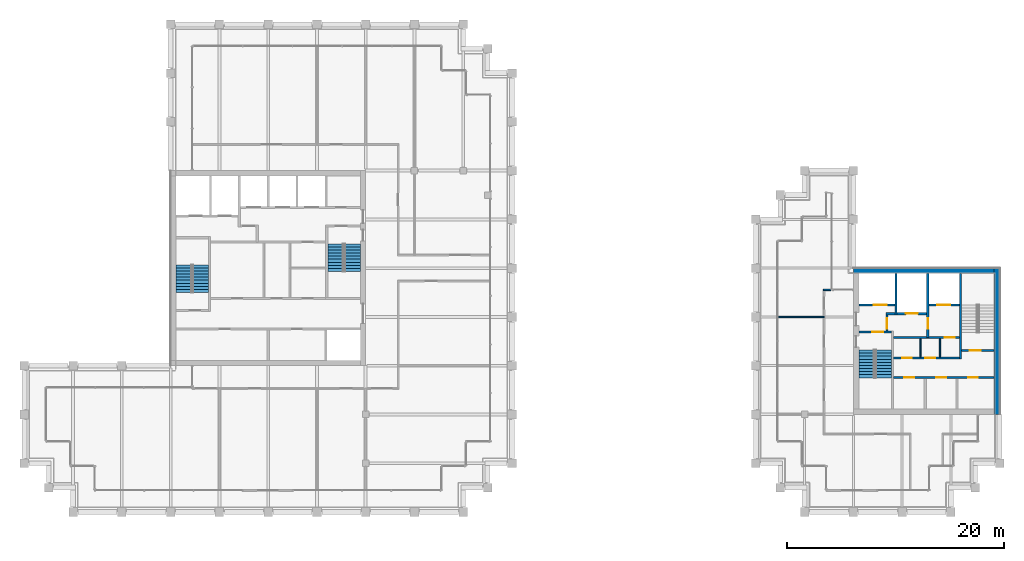
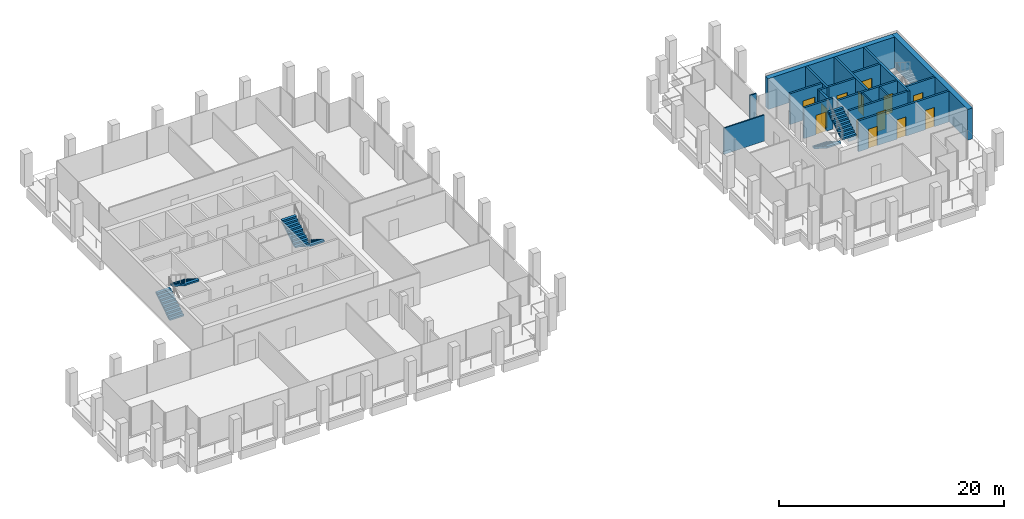
# One storey, part 38 of 40: 19 walls, 13 doors, 6 stair flights, 13 openings, 3 elements without a shape of their own.
"""IFC4 building model written with IfcOpenShell, lengths in metres."""

from ifc_helpers import new_model, si_unit, direction, frame, frame_2d, origin, place, context, subcontext, project, spatial, polyline, rectangle, outline, extrude, material, layer, layer_set, type_object, element, fill, aggregate, save


model = new_model("IFC4")

# Units and contexts
model_context = context("Model", 3, precision=1e-05, world=origin(), true_north=direction((0.0, 1.0)))
body_context = subcontext(model_context, "Body", "Model", "MODEL_VIEW")
ifc_project = project(units=[si_unit("LENGTHUNIT", "METRE"), si_unit("AREAUNIT", "SQUARE_METRE"), si_unit("VOLUMEUNIT", "CUBIC_METRE"), si_unit("PLANEANGLEUNIT", "RADIAN"), si_unit("MASSUNIT", "GRAM", prefix="KILO")], contexts=[model_context])

# Site, building, storey
site_placement = place(None, origin())
site = spatial("IfcSite", under=ifc_project, at=site_placement, CompositionType="ELEMENT")
building_placement = place(site_placement, origin())
building = spatial("IfcBuilding", under=site, at=building_placement, Name="Altepetl Exchange Towers", CompositionType="ELEMENT")
storey_placement = place(building_placement, frame((0.0, 0.0, 195.60009765625)))
storey = spatial("IfcBuildingStorey", under=building, at=storey_placement, Name="L49", CompositionType="ELEMENT", Elevation=195.60009765625)

# Walls
ifc_material_1 = material(Name="Concrete C70/85", Category="concrete")
ifc_layer_1 = layer(ifc_material_1, 0.5)
ifc_layer_set_1 = layer_set([ifc_layer_1], Name="Concrete C70/85")
wall_type_1 = type_object("IfcWallType", Name="Core wall 500 reinforced concrete external", PredefinedType="SHEAR", material=ifc_layer_set_1)
wall_1_placement = place(storey_placement, frame((116.75, 36.0, 0.0), z_axis=(0.0, 0.0, 1.0), x_axis=(0.0, 1.0, 0.0)))
element("IfcWall", 1, at=wall_1_placement, inside=storey, type_object=wall_type_1, Name="wall:B:L49:K-coreE", PredefinedType="SHEAR", context=body_context, shape_type="SweptSolid", body=[
    extrude(rectangle(XDim=13.5, YDim=0.5, at=frame_2d((6.75, 0.0))), origin(), (0.0, 0.0, 1.0), 3.349853515625),
])
wall_2_placement = place(storey_placement, frame((103.5, 49.25, 0.0)))
element("IfcWall", 2, at=wall_2_placement, inside=storey, type_object=wall_type_1, Name="wall:B:L49:K-coreN", PredefinedType="SHEAR", context=body_context, shape_type="SweptSolid", body=[
    extrude(rectangle(XDim=13.0, YDim=0.5, at=frame_2d((6.5, 0.0))), origin(), (0.0, 0.0, 1.0), 3.349853515625),
])
ifc_material_2 = material(Name="Concrete blockwork", Category="masonry")
ifc_layer_2 = layer(ifc_material_2, 0.199951171875)
ifc_layer_set_2 = layer_set([ifc_layer_2], Name="Concrete blockwork")
wall_type_2 = type_object("IfcWallType", Name="Lobby wall 200 blockwork", PredefinedType="PARTITIONING", material=ifc_layer_set_2)
wall_3_placement = place(storey_placement, frame((106.5, 45.300048828125, 0.0)))
element("IfcWall", 3, at=wall_3_placement, inside=storey, type_object=wall_type_2, Name="wall:B:L49:K-ffNw", PredefinedType="PARTITIONING", context=body_context, shape_type="SweptSolid", body=[
    extrude(rectangle(XDim=0.833251953125, YDim=0.199951171875, at=frame_2d((0.41650390625, 0.0))), origin(), (0.0, 0.0, 1.0), 3.349853515625),
])

# Wall, opening, door
wall_4_placement = place(storey_placement, frame((106.60009765625, 43.699951171875, 0.0), z_axis=(0.0, 0.0, 1.0), x_axis=(0.0, 1.0, 0.0)))
wall_4 = element("IfcWall", 4, at=wall_4_placement, inside=storey, type_object=wall_type_2, Name="wall:B:L49:K-ffW", PredefinedType="PARTITIONING", context=body_context, shape_type="SweptSolid", body=[
    extrude(rectangle(XDim=1.5, YDim=0.199951171875, at=frame_2d((0.75, 0.0))), origin(), (0.0, 0.0, 1.0), 3.349853515625),
])
opening_1_placement = place(wall_4_placement, frame((0.199951171875, 0.0, 0.0)))
opening_1 = element("IfcOpeningElement", 5, at=opening_1_placement, cuts=wall_4, Name="Opening L49.B65", PredefinedType="OPENING", context=body_context, shape_type="SweptSolid", body=[
    extrude(rectangle(XDim=1.0, YDim=2.10009765625, at=frame_2d((0.5, 1.050048828125))), frame((0.0, 0.10986328125, 0.0), z_axis=(0.0, -1.0, 0.0), x_axis=(1.0, 0.0, 0.0)), (0.0, 0.0, 1.0), 0.219970703125),
])
ifc_material_3 = material(Name="Steel and timber fire door", Category="steel")
door_type_1 = type_object("IfcDoorType", Name="Fire door 1000 x 2100 stair and lobby", OperationType="SINGLE_SWING_LEFT", PredefinedType="DOOR", material=ifc_material_3)
door_1_placement = place(opening_1_placement, frame((1.0, 0.0, 0.0), x_axis=(-1.0, 0.0, 0.0)))
door_1 = element("IfcDoor", 6, at=door_1_placement, inside=storey, type_object=door_type_1, Name="door:B:L49:K-dffW", OperationType="SINGLE_SWING_LEFT", OverallHeight=2.10009765625, OverallWidth=1.0, PredefinedType="DOOR", context=body_context, shape_type="SweptSolid", body=[
    extrude(rectangle(XDim=1.0, YDim=2.10009765625, at=frame_2d((0.5, 1.050048828125))), frame((0.0, 0.02490234375, 0.0), z_axis=(0.0, -1.0, 0.0), x_axis=(1.0, 0.0, 0.0)), (0.0, 0.0, 1.0), 0.050048828125),
])
fill(opening_1, door_1)

wall_5_placement = place(storey_placement, frame((107.199951171875, 43.10009765625, 0.0)))
wall_5 = element("IfcWall", 7, at=wall_5_placement, inside=storey, type_object=wall_type_2, Name="wall:B:L49:K-zoneN", PredefinedType="PARTITIONING", context=body_context, shape_type="SweptSolid", body=[
    extrude(rectangle(XDim=6.10009765625, YDim=0.199951171875, at=frame_2d((3.050048828125, 0.0))), origin(), (0.0, 0.0, 1.0), 3.349853515625),
])
opening_2_placement = place(wall_5_placement, frame((4.75, 0.0, 0.0)))
opening_2 = element("IfcOpeningElement", 8, at=opening_2_placement, cuts=wall_5, Name="Opening L49.B71", PredefinedType="OPENING", context=body_context, shape_type="SweptSolid", body=[
    extrude(rectangle(XDim=0.89990234375, YDim=2.10009765625, at=frame_2d((0.449951171875, 1.050048828125))), frame((0.0, 0.10986328125, 0.0), z_axis=(0.0, -1.0, 0.0), x_axis=(1.0, 0.0, 0.0)), (0.0, 0.0, 1.0), 0.219970703125),
])
door_type_2 = type_object("IfcDoorType", Name="Fire door 900 x 2100 service room", OperationType="SINGLE_SWING_LEFT", PredefinedType="DOOR", material=ifc_material_3)
door_2_placement = place(opening_2_placement, frame((0.89990234375, 0.0, 0.0), x_axis=(-1.0, 0.0, 0.0)))
door_2 = element("IfcDoor", 9, at=door_2_placement, inside=storey, type_object=door_type_2, Name="door:B:L49:K-dz3", OperationType="SINGLE_SWING_RIGHT", OverallHeight=2.10009765625, OverallWidth=0.89990234375, PredefinedType="DOOR", context=body_context, shape_type="SweptSolid", body=[
    extrude(rectangle(XDim=0.89990234375, YDim=2.10009765625, at=frame_2d((0.449951171875, 1.050048828125))), frame((0.0, 0.02490234375, 0.0), z_axis=(0.0, -1.0, 0.0), x_axis=(1.0, 0.0, 0.0)), (0.0, 0.0, 1.0), 0.050048828125),
])
fill(opening_2, door_2)

# Wall, openings, doors
wall_6_placement = place(storey_placement, frame((107.199951171875, 41.199951171875, 0.0)))
wall_6 = element("IfcWall", 10, at=wall_6_placement, inside=storey, type_object=wall_type_2, Name="wall:B:L49:K-zoneS", PredefinedType="PARTITIONING", context=body_context, shape_type="SweptSolid", body=[
    extrude(rectangle(XDim=6.10009765625, YDim=0.199951171875, at=frame_2d((3.050048828125, 0.0))), origin(), (0.0, 0.0, 1.0), 3.349853515625),
])
opening_3_placement = place(wall_6_placement, frame((0.800048828125, 0.0, 0.0)))
opening_3 = element("IfcOpeningElement", 11, at=opening_3_placement, cuts=wall_6, Name="Opening L49.B69", PredefinedType="OPENING", context=body_context, shape_type="SweptSolid", body=[
    extrude(rectangle(XDim=0.89990234375, YDim=2.10009765625, at=frame_2d((0.449951171875, 1.050048828125))), frame((0.0, 0.10986328125, 0.0), z_axis=(0.0, -1.0, 0.0), x_axis=(1.0, 0.0, 0.0)), (0.0, 0.0, 1.0), 0.219970703125),
])
opening_4_placement = place(wall_6_placement, frame((2.949951171875, 0.0, 0.0)))
opening_4 = element("IfcOpeningElement", 12, at=opening_4_placement, cuts=wall_6, Name="Opening L49.B70", PredefinedType="OPENING", context=body_context, shape_type="SweptSolid", body=[
    extrude(rectangle(XDim=0.89990234375, YDim=2.10009765625, at=frame_2d((0.449951171875, 1.050048828125))), frame((0.0, 0.10986328125, 0.0), z_axis=(0.0, -1.0, 0.0), x_axis=(1.0, 0.0, 0.0)), (0.0, 0.0, 1.0), 0.219970703125),
])
door_3_placement = place(opening_3_placement, origin())
door_3 = element("IfcDoor", 13, at=door_3_placement, inside=storey, type_object=door_type_2, Name="door:B:L49:K-dz1", OperationType="SINGLE_SWING_RIGHT", OverallHeight=2.10009765625, OverallWidth=0.89990234375, PredefinedType="DOOR", context=body_context, shape_type="SweptSolid", body=[
    extrude(rectangle(XDim=0.89990234375, YDim=2.10009765625, at=frame_2d((0.449951171875, 1.050048828125))), frame((0.0, 0.02490234375, 0.0), z_axis=(0.0, -1.0, 0.0), x_axis=(1.0, 0.0, 0.0)), (0.0, 0.0, 1.0), 0.050048828125),
])
fill(opening_3, door_3)
door_4_placement = place(opening_4_placement, origin())
door_4 = element("IfcDoor", 14, at=door_4_placement, inside=storey, type_object=door_type_2, Name="door:B:L49:K-dz2", OperationType="SINGLE_SWING_RIGHT", OverallHeight=2.10009765625, OverallWidth=0.89990234375, PredefinedType="DOOR", context=body_context, shape_type="SweptSolid", body=[
    extrude(rectangle(XDim=0.89990234375, YDim=2.10009765625, at=frame_2d((0.449951171875, 1.050048828125))), frame((0.0, 0.02490234375, 0.0), z_axis=(0.0, -1.0, 0.0), x_axis=(1.0, 0.0, 0.0)), (0.0, 0.0, 1.0), 0.050048828125),
])
fill(opening_4, door_4)

# Walls
ifc_material_4 = material(Name="Gypsum board on steel studs", Category="steel")
ifc_layer_3 = layer(ifc_material_4, 0.125)
ifc_layer_set_3 = layer_set([ifc_layer_3], Name="Gypsum board on steel studs")
wall_type_3 = type_object("IfcWallType", Name="Partition 125 gypsum board on steel studs", PredefinedType="PARTITIONING", material=ifc_layer_set_3)
for number, where, z_axis, x_axis, name in (
    (15, (109.699951171875, 41.300048828125, 0.0), (0.0, 0.0, 1.0), (0.0, 1.0, 0.0), "wall:B:L49:K-zp1"),
    (16, (111.5, 41.300048828125, 0.0), (0.0, 0.0, 1.0), (0.0, 1.0, 0.0), "wall:B:L49:K-zp2"),
):
    element("IfcWall", number, at=place(storey_placement, frame(where, z_axis=z_axis, x_axis=x_axis)), inside=storey, type_object=wall_type_3, Name=name, PredefinedType="PARTITIONING", context=body_context, shape_type="SweptSolid", body=[
        extrude(rectangle(XDim=1.699951171875, YDim=0.125, at=frame_2d((0.85009765625, 0.0))), origin(), (0.0, 0.0, 1.0), 3.349853515625),
    ])
wall_7_placement = place(storey_placement, frame((96.60009765625, 45.0, 0.0)))
element("IfcWall", 17, at=wall_7_placement, inside=storey, type_object=wall_type_3, Name="wall:B:L49:P06", PredefinedType="PARTITIONING", context=body_context, shape_type="SweptSolid", body=[
    extrude(rectangle(XDim=4.199951171875, YDim=0.125, at=frame_2d((2.10009765625, 0.0))), origin(), (0.0, 0.0, 1.0), 2.850830078125),
])
wall_8_placement = place(storey_placement, frame((100.737548828125, 47.5, 0.0)))
element("IfcWall", 18, at=wall_8_placement, inside=storey, type_object=wall_type_3, Name="wall:B:L49:P07", PredefinedType="PARTITIONING", context=body_context, shape_type="SweptSolid", body=[
    extrude(rectangle(XDim=0.662353515625, YDim=0.125, at=frame_2d((0.3310546875, 0.0))), origin(), (0.0, 0.0, 1.0), 3.449951171875),
])
ifc_material_5 = material(Name="Concrete C40/50", Category="concrete")
ifc_layer_4 = layer(ifc_material_5, 0.199951171875)
ifc_layer_set_4 = layer_set([ifc_layer_4], Name="Concrete C40/50")
wall_type_4 = type_object("IfcWallType", Name="Shaft wall 200 reinforced concrete", PredefinedType="SHEAR", material=ifc_layer_set_4)
wall_9_placement = place(storey_placement, frame((107.433349609375, 49.0, 0.0), z_axis=(0.0, 0.0, 1.0), x_axis=(0.0, -1.0, 0.0)))
element("IfcWall", 19, at=wall_9_placement, inside=storey, type_object=wall_type_4, Name="wall:B:L49:K-divN1", PredefinedType="SHEAR", context=body_context, shape_type="SweptSolid", body=[
    extrude(rectangle(XDim=3.800048828125, YDim=0.199951171875, at=frame_2d((1.89990234375, 0.0))), origin(), (0.0, 0.0, 1.0), 3.349853515625),
])

# Wall, opening, door
wall_10_placement = place(storey_placement, frame((110.36669921875, 49.0, 0.0), z_axis=(0.0, 0.0, 1.0), x_axis=(0.0, -1.0, 0.0)))
wall_10 = element("IfcWall", 20, at=wall_10_placement, inside=storey, type_object=wall_type_4, Name="wall:B:L49:K-divN2", PredefinedType="SHEAR", context=body_context, shape_type="SweptSolid", body=[
    extrude(rectangle(XDim=5.89990234375, YDim=0.199951171875, at=frame_2d((2.949951171875, 0.0))), origin(), (0.0, 0.0, 1.0), 3.349853515625),
])
opening_5_placement = place(wall_10_placement, frame((4.10009765625, 0.0, 0.0)))
opening_5 = element("IfcOpeningElement", 21, at=opening_5_placement, cuts=wall_10, Name="Opening L49.B64", PredefinedType="OPENING", context=body_context, shape_type="SweptSolid", body=[
    extrude(rectangle(XDim=1.0, YDim=2.10009765625, at=frame_2d((0.5, 1.050048828125))), frame((0.0, 0.10986328125, 0.0), z_axis=(0.0, -1.0, 0.0), x_axis=(1.0, 0.0, 0.0)), (0.0, 0.0, 1.0), 0.219970703125),
])
door_5_placement = place(opening_5_placement, frame((1.0, 0.0, 0.0), x_axis=(-1.0, 0.0, 0.0)))
door_5 = element("IfcDoor", 22, at=door_5_placement, inside=storey, type_object=door_type_1, Name="door:B:L49:K-dffE", OperationType="SINGLE_SWING_RIGHT", OverallHeight=2.10009765625, OverallWidth=1.0, PredefinedType="DOOR", context=body_context, shape_type="SweptSolid", body=[
    extrude(rectangle(XDim=1.0, YDim=2.10009765625, at=frame_2d((0.5, 1.050048828125))), frame((0.0, 0.02490234375, 0.0), z_axis=(0.0, -1.0, 0.0), x_axis=(1.0, 0.0, 0.0)), (0.0, 0.0, 1.0), 0.050048828125),
])
fill(opening_5, door_5)

wall_11_placement = place(storey_placement, frame((104.0, 46.10009765625, 0.0)))
wall_11 = element("IfcWall", 23, at=wall_11_placement, inside=storey, type_object=wall_type_4, Name="wall:B:L49:K-frontNa", PredefinedType="SHEAR", context=body_context, shape_type="SweptSolid", body=[
    extrude(rectangle(XDim=3.333251953125, YDim=0.199951171875, at=frame_2d((1.66650390625, 0.0))), origin(), (0.0, 0.0, 1.0), 3.349853515625),
])
opening_6_placement = place(wall_11_placement, frame((1.36669921875, 0.0, 0.0)))
opening_6 = element("IfcOpeningElement", 24, at=opening_6_placement, cuts=wall_11, Name="Opening L49.B73", PredefinedType="OPENING", context=body_context, shape_type="SweptSolid", body=[
    extrude(rectangle(XDim=1.199951171875, YDim=2.10009765625, at=frame_2d((0.60009765625, 1.050048828125))), frame((0.0, 0.10986328125, 0.0), z_axis=(0.0, -1.0, 0.0), x_axis=(1.0, 0.0, 0.0)), (0.0, 0.0, 1.0), 0.219970703125),
])
ifc_material_6 = material(Name="Stainless steel", Category="steel")
door_type_3 = type_object("IfcDoorType", Name="Lift landing door 1200 x 2100", OperationType="SLIDING_TO_LEFT", PredefinedType="DOOR", material=ifc_material_6)
door_6_placement = place(opening_6_placement, origin())
door_6 = element("IfcDoor", 25, at=door_6_placement, inside=storey, type_object=door_type_3, Name="Landing door P4", OperationType="SLIDING_TO_LEFT", OverallHeight=2.10009765625, OverallWidth=1.199951171875, PredefinedType="DOOR", context=body_context, shape_type="SweptSolid", body=[
    extrude(rectangle(XDim=1.199951171875, YDim=2.10009765625, at=frame_2d((0.60009765625, 1.050048828125))), frame((0.0, 0.02490234375, 0.0), z_axis=(0.0, -1.0, 0.0), x_axis=(1.0, 0.0, 0.0)), (0.0, 0.0, 1.0), 0.050048828125),
])
fill(opening_6, door_6)

wall_12_placement = place(storey_placement, frame((110.466796875, 46.10009765625, 0.0)))
wall_12 = element("IfcWall", 26, at=wall_12_placement, inside=storey, type_object=wall_type_4, Name="wall:B:L49:K-frontNb", PredefinedType="SHEAR", context=body_context, shape_type="SweptSolid", body=[
    extrude(rectangle(XDim=2.833251953125, YDim=0.199951171875, at=frame_2d((1.41650390625, 0.0))), origin(), (0.0, 0.0, 1.0), 3.349853515625),
])
opening_7_placement = place(wall_12_placement, frame((0.7666015625, 0.0, 0.0)))
opening_7 = element("IfcOpeningElement", 27, at=opening_7_placement, cuts=wall_12, Name="Opening L49.B74", PredefinedType="OPENING", context=body_context, shape_type="SweptSolid", body=[
    extrude(rectangle(XDim=1.199951171875, YDim=2.10009765625, at=frame_2d((0.60009765625, 1.050048828125))), frame((0.0, 0.10986328125, 0.0), z_axis=(0.0, -1.0, 0.0), x_axis=(1.0, 0.0, 0.0)), (0.0, 0.0, 1.0), 0.219970703125),
])
door_7_placement = place(opening_7_placement, origin())
door_7 = element("IfcDoor", 28, at=door_7_placement, inside=storey, type_object=door_type_3, Name="Landing door P5", OperationType="SLIDING_TO_LEFT", OverallHeight=2.10009765625, OverallWidth=1.199951171875, PredefinedType="DOOR", context=body_context, shape_type="SweptSolid", body=[
    extrude(rectangle(XDim=1.199951171875, YDim=2.10009765625, at=frame_2d((0.60009765625, 1.050048828125))), frame((0.0, 0.02490234375, 0.0), z_axis=(0.0, -1.0, 0.0), x_axis=(1.0, 0.0, 0.0)), (0.0, 0.0, 1.0), 0.050048828125),
])
fill(opening_7, door_7)

wall_13_placement = place(storey_placement, frame((107.533203125, 45.300048828125, 0.0)))
wall_13 = element("IfcWall", 29, at=wall_13_placement, inside=storey, type_object=wall_type_4, Name="wall:B:L49:K-frontNd", PredefinedType="SHEAR", context=body_context, shape_type="SweptSolid", body=[
    extrude(rectangle(XDim=2.7333984375, YDim=0.199951171875, at=frame_2d((1.36669921875, 0.0))), origin(), (0.0, 0.0, 1.0), 3.349853515625),
])
opening_8_placement = place(wall_13_placement, frame((0.816650390625, 0.0, 0.0)))
opening_8 = element("IfcOpeningElement", 30, at=opening_8_placement, cuts=wall_13, Name="Opening L49.B72", PredefinedType="OPENING", context=body_context, shape_type="SweptSolid", body=[
    extrude(rectangle(XDim=1.10009765625, YDim=2.10009765625, at=frame_2d((0.550048828125, 1.050048828125))), frame((0.0, 0.10986328125, 0.0), z_axis=(0.0, -1.0, 0.0), x_axis=(1.0, 0.0, 0.0)), (0.0, 0.0, 1.0), 0.219970703125),
])
door_type_4 = type_object("IfcDoorType", Name="Lift landing door 1100 x 2100", OperationType="SLIDING_TO_LEFT", PredefinedType="DOOR", material=ifc_material_6)
door_8_placement = place(opening_8_placement, origin())
door_8 = element("IfcDoor", 31, at=door_8_placement, inside=storey, type_object=door_type_4, Name="Landing door FFL1", OperationType="SLIDING_TO_LEFT", OverallHeight=2.10009765625, OverallWidth=1.10009765625, PredefinedType="DOOR", context=body_context, shape_type="SweptSolid", body=[
    extrude(rectangle(XDim=1.10009765625, YDim=2.10009765625, at=frame_2d((0.550048828125, 1.050048828125))), frame((0.0, 0.02490234375, 0.0), z_axis=(0.0, -1.0, 0.0), x_axis=(1.0, 0.0, 0.0)), (0.0, 0.0, 1.0), 0.050048828125),
])
fill(opening_8, door_8)

# Wall, openings, doors
wall_14_placement = place(storey_placement, frame((107.199951171875, 39.39990234375, 0.0)))
wall_14 = element("IfcWall", 32, at=wall_14_placement, inside=storey, type_object=wall_type_4, Name="wall:B:L49:K-frontS", PredefinedType="SHEAR", context=body_context, shape_type="SweptSolid", body=[
    extrude(rectangle(XDim=9.300048828125, YDim=0.199951171875, at=frame_2d((4.64990234375, 0.0))), origin(), (0.0, 0.0, 1.0), 3.349853515625),
])
opening_9_placement = place(wall_14_placement, frame((1.0166015625, 0.0, 0.0)))
opening_9 = element("IfcOpeningElement", 33, at=opening_9_placement, cuts=wall_14, Name="Opening L49.B66", PredefinedType="OPENING", context=body_context, shape_type="SweptSolid", body=[
    extrude(rectangle(XDim=0.89990234375, YDim=2.10009765625, at=frame_2d((0.449951171875, 1.050048828125))), frame((0.0, 0.10986328125, 0.0), z_axis=(0.0, -1.0, 0.0), x_axis=(1.0, 0.0, 0.0)), (0.0, 0.0, 1.0), 0.219970703125),
])
opening_10_placement = place(wall_14_placement, frame((3.949951171875, 0.0, 0.0)))
opening_10 = element("IfcOpeningElement", 34, at=opening_10_placement, cuts=wall_14, Name="Opening L49.B67", PredefinedType="OPENING", context=body_context, shape_type="SweptSolid", body=[
    extrude(rectangle(XDim=0.89990234375, YDim=2.10009765625, at=frame_2d((0.449951171875, 1.050048828125))), frame((0.0, 0.10986328125, 0.0), z_axis=(0.0, -1.0, 0.0), x_axis=(1.0, 0.0, 0.0)), (0.0, 0.0, 1.0), 0.219970703125),
])
opening_11_placement = place(wall_14_placement, frame((6.88330078125, 0.0, 0.0)))
opening_11 = element("IfcOpeningElement", 35, at=opening_11_placement, cuts=wall_14, Name="Opening L49.B68", PredefinedType="OPENING", context=body_context, shape_type="SweptSolid", body=[
    extrude(rectangle(XDim=0.89990234375, YDim=2.10009765625, at=frame_2d((0.449951171875, 1.050048828125))), frame((0.0, 0.10986328125, 0.0), z_axis=(0.0, -1.0, 0.0), x_axis=(1.0, 0.0, 0.0)), (0.0, 0.0, 1.0), 0.219970703125),
])
door_9_placement = place(opening_9_placement, frame((0.89990234375, 0.0, 0.0), x_axis=(-1.0, 0.0, 0.0)))
door_9 = element("IfcDoor", 36, at=door_9_placement, inside=storey, type_object=door_type_2, Name="door:B:L49:K-dslotS0", OperationType="SINGLE_SWING_LEFT", OverallHeight=2.10009765625, OverallWidth=0.89990234375, PredefinedType="DOOR", context=body_context, shape_type="SweptSolid", body=[
    extrude(rectangle(XDim=0.89990234375, YDim=2.10009765625, at=frame_2d((0.449951171875, 1.050048828125))), frame((0.0, 0.02490234375, 0.0), z_axis=(0.0, -1.0, 0.0), x_axis=(1.0, 0.0, 0.0)), (0.0, 0.0, 1.0), 0.050048828125),
])
fill(opening_9, door_9)
door_10_placement = place(opening_10_placement, frame((0.89990234375, 0.0, 0.0), x_axis=(-1.0, 0.0, 0.0)))
door_10 = element("IfcDoor", 37, at=door_10_placement, inside=storey, type_object=door_type_2, Name="door:B:L49:K-dslotS1", OperationType="SINGLE_SWING_LEFT", OverallHeight=2.10009765625, OverallWidth=0.89990234375, PredefinedType="DOOR", context=body_context, shape_type="SweptSolid", body=[
    extrude(rectangle(XDim=0.89990234375, YDim=2.10009765625, at=frame_2d((0.449951171875, 1.050048828125))), frame((0.0, 0.02490234375, 0.0), z_axis=(0.0, -1.0, 0.0), x_axis=(1.0, 0.0, 0.0)), (0.0, 0.0, 1.0), 0.050048828125),
])
fill(opening_10, door_10)
door_11_placement = place(opening_11_placement, frame((0.89990234375, 0.0, 0.0), x_axis=(-1.0, 0.0, 0.0)))
door_11 = element("IfcDoor", 38, at=door_11_placement, inside=storey, type_object=door_type_2, Name="door:B:L49:K-dslotS2", OperationType="SINGLE_SWING_LEFT", OverallHeight=2.10009765625, OverallWidth=0.89990234375, PredefinedType="DOOR", context=body_context, shape_type="SweptSolid", body=[
    extrude(rectangle(XDim=0.89990234375, YDim=2.10009765625, at=frame_2d((0.449951171875, 1.050048828125))), frame((0.0, 0.02490234375, 0.0), z_axis=(0.0, -1.0, 0.0), x_axis=(1.0, 0.0, 0.0)), (0.0, 0.0, 1.0), 0.050048828125),
])
fill(opening_11, door_11)

# Wall, opening, door
ifc_layer_5 = layer(ifc_material_5, 0.199951171875)
ifc_layer_set_5 = layer_set([ifc_layer_5], Name="Concrete C40/50")
wall_type_5 = type_object("IfcWallType", Name="Stair wall 200 reinforced concrete", PredefinedType="SHEAR", material=ifc_layer_set_5)
wall_15_placement = place(storey_placement, frame((104.0, 43.60009765625, 0.0)))
wall_15 = element("IfcWall", 39, at=wall_15_placement, inside=storey, type_object=wall_type_5, Name="wall:B:L49:K-stS1N", PredefinedType="SHEAR", context=body_context, shape_type="SweptSolid", body=[
    extrude(rectangle(XDim=3.0, YDim=0.199951171875, at=frame_2d((1.5, 0.0))), origin(), (0.0, 0.0, 1.0), 3.349853515625),
])
opening_12_placement = place(wall_15_placement, frame((1.25, 0.0, 0.0)))
opening_12 = element("IfcOpeningElement", 40, at=opening_12_placement, cuts=wall_15, Name="Opening L49.B61", PredefinedType="OPENING", context=body_context, shape_type="SweptSolid", body=[
    extrude(rectangle(XDim=1.0, YDim=2.10009765625, at=frame_2d((0.5, 1.050048828125))), frame((0.0, 0.10986328125, 0.0), z_axis=(0.0, -1.0, 0.0), x_axis=(1.0, 0.0, 0.0)), (0.0, 0.0, 1.0), 0.219970703125),
])
door_12_placement = place(opening_12_placement, frame((1.0, 0.0, 0.0), x_axis=(-1.0, 0.0, 0.0)))
door_12 = element("IfcDoor", 41, at=door_12_placement, inside=storey, type_object=door_type_1, Name="door:B:L49:K-dS1in", OperationType="SINGLE_SWING_LEFT", OverallHeight=2.10009765625, OverallWidth=1.0, PredefinedType="DOOR", context=body_context, shape_type="SweptSolid", body=[
    extrude(rectangle(XDim=1.0, YDim=2.10009765625, at=frame_2d((0.5, 1.050048828125))), frame((0.0, 0.02490234375, 0.0), z_axis=(0.0, -1.0, 0.0), x_axis=(1.0, 0.0, 0.0)), (0.0, 0.0, 1.0), 0.050048828125),
])
fill(opening_12, door_12)

wall_16_placement = place(storey_placement, frame((113.5, 41.89990234375, 0.0)))
wall_16 = element("IfcWall", 42, at=wall_16_placement, inside=storey, type_object=wall_type_5, Name="wall:B:L49:K-stS2S", PredefinedType="SHEAR", context=body_context, shape_type="SweptSolid", body=[
    extrude(rectangle(XDim=3.0, YDim=0.199951171875, at=frame_2d((1.5, 0.0))), origin(), (0.0, 0.0, 1.0), 3.349853515625),
])
opening_13_placement = place(wall_16_placement, frame((0.75, 0.0, 0.0)))
opening_13 = element("IfcOpeningElement", 43, at=opening_13_placement, cuts=wall_16, Name="Opening L49.B63", PredefinedType="OPENING", context=body_context, shape_type="SweptSolid", body=[
    extrude(rectangle(XDim=1.0, YDim=2.10009765625, at=frame_2d((0.5, 1.050048828125))), frame((0.0, 0.10986328125, 0.0), z_axis=(0.0, -1.0, 0.0), x_axis=(1.0, 0.0, 0.0)), (0.0, 0.0, 1.0), 0.219970703125),
])
door_13_placement = place(opening_13_placement, origin())
door_13 = element("IfcDoor", 44, at=door_13_placement, inside=storey, type_object=door_type_1, Name="door:B:L49:K-dS2in", OperationType="SINGLE_SWING_RIGHT", OverallHeight=2.10009765625, OverallWidth=1.0, PredefinedType="DOOR", context=body_context, shape_type="SweptSolid", body=[
    extrude(rectangle(XDim=1.0, YDim=2.10009765625, at=frame_2d((0.5, 1.050048828125))), frame((0.0, 0.02490234375, 0.0), z_axis=(0.0, -1.0, 0.0), x_axis=(1.0, 0.0, 0.0)), (0.0, 0.0, 1.0), 0.050048828125),
])
fill(opening_13, door_13)

# Wall
wall_17_placement = place(storey_placement, frame((113.39990234375, 41.10009765625, 0.0), z_axis=(0.0, 0.0, 1.0), x_axis=(0.0, 1.0, 0.0)))
element("IfcWall", 45, at=wall_17_placement, inside=storey, type_object=wall_type_5, Name="wall:B:L49:K-stS2W", PredefinedType="SHEAR", context=body_context, shape_type="SweptSolid", body=[
    extrude(rectangle(XDim=7.89990234375, YDim=0.199951171875, at=frame_2d((3.949951171875, 0.0))), origin(), (0.0, 0.0, 1.0), 3.349853515625),
])

# Stair, stair flights
stair_type = type_object("IfcStairType", Name="Exit stair 1450 flights dogleg", PredefinedType="HALF_TURN_STAIR", material=ifc_material_5)
stair_1_placement = place(storey_placement, origin())
stair_1 = element("IfcStair", 46, at=stair_1_placement, inside=storey, type_object=stair_type, Name="Exit stair 1", PredefinedType="HALF_TURN_STAIR")
stair_flight_type = type_object("IfcStairFlightType", Name="Stair flight 1450 wide", PredefinedType="STRAIGHT", material=ifc_material_5)
stair_flight_1_placement = place(storey_placement, frame((41.72509765625, 47.25, 0.0), z_axis=(0.0, 0.0, 1.0), x_axis=(0.0, 1.0, 0.0)))
stair_flight_1 = element("IfcStairFlight", 47, at=stair_flight_1_placement, type_object=stair_flight_type, Name="ST-A1f flight 1", NumberOfRisers=10, NumberOfTreads=9, PredefinedType="STRAIGHT", RiserHeight=0.18, TreadLength=0.285, context=body_context, shape_type="SweptSolid", body=[
    extrude(outline(polyline([(0.0, 0.0), (0.0, 0.179931640625), (0.284912109375, 0.179931640625), (0.284912109375, 0.360107421875), (0.570068359375, 0.360107421875), (0.570068359375, 0.5400390625), (0.85498046875, 0.5400390625), (0.85498046875, 0.719970703125), (1.139892578125, 0.719970703125), (1.139892578125, 0.89990234375), (1.425048828125, 0.89990234375), (1.425048828125, 1.080078125), (1.7099609375, 1.080078125), (1.7099609375, 1.260009765625), (1.9951171875, 1.260009765625), (1.9951171875, 1.43994140625), (2.280029296875, 1.43994140625), (2.280029296875, 1.6201171875), (2.56494140625, 1.6201171875), (2.56494140625, 1.800048828125), (2.56494140625, 1.442626953125), (0.28076171875, 0.0), (0.0, 0.0)])), frame((0.0, 0.72509765625, 0.0), z_axis=(0.0, -1.0, 0.0), x_axis=(1.0, 0.0, 0.0)), (0.0, 0.0, 1.0), 1.449951171875),
])
stair_flight_2_placement = place(storey_placement, frame((43.27490234375, 49.81494140625, 1.7998046875), z_axis=(0.0, 0.0, 1.0), x_axis=(0.0, -1.0, 0.0)))
stair_flight_2 = element("IfcStairFlight", 48, at=stair_flight_2_placement, type_object=stair_flight_type, Name="ST-A1f flight 2", NumberOfRisers=10, NumberOfTreads=9, PredefinedType="STRAIGHT", RiserHeight=0.18, TreadLength=0.285, context=body_context, shape_type="SweptSolid", body=[
    extrude(outline(polyline([(0.0, 0.0), (0.0, 0.179931640625), (0.284912109375, 0.179931640625), (0.284912109375, 0.360107421875), (0.570068359375, 0.360107421875), (0.570068359375, 0.5400390625), (0.85498046875, 0.5400390625), (0.85498046875, 0.719970703125), (1.139892578125, 0.719970703125), (1.139892578125, 0.89990234375), (1.425048828125, 0.89990234375), (1.425048828125, 1.080078125), (1.7099609375, 1.080078125), (1.7099609375, 1.260009765625), (1.9951171875, 1.260009765625), (1.9951171875, 1.43994140625), (2.280029296875, 1.43994140625), (2.280029296875, 1.6201171875), (2.56494140625, 1.6201171875), (2.56494140625, 1.800048828125), (2.56494140625, 1.442626953125), (0.28076171875, 0.0), (0.0, 0.0)])), frame((0.0, 0.72509765625, 0.0), z_axis=(0.0, -1.0, 0.0), x_axis=(1.0, 0.0, 0.0)), (0.0, 0.0, 1.0), 1.449951171875),
])
aggregate(stair_1, [stair_flight_1, stair_flight_2])

stair_2_placement = place(storey_placement, origin())
stair_2 = element("IfcStair", 49, at=stair_2_placement, inside=storey, type_object=stair_type, Name="Exit stair 2", PredefinedType="HALF_TURN_STAIR")
stair_flight_3_placement = place(storey_placement, frame((57.27490234375, 51.75, 0.0), z_axis=(0.0, 0.0, 1.0), x_axis=(0.0, -1.0, 0.0)))
stair_flight_3 = element("IfcStairFlight", 50, at=stair_flight_3_placement, type_object=stair_flight_type, Name="ST-A2f flight 1", NumberOfRisers=10, NumberOfTreads=9, PredefinedType="STRAIGHT", RiserHeight=0.18, TreadLength=0.285, context=body_context, shape_type="SweptSolid", body=[
    extrude(outline(polyline([(0.0, 0.0), (0.0, 0.179931640625), (0.284912109375, 0.179931640625), (0.284912109375, 0.360107421875), (0.570068359375, 0.360107421875), (0.570068359375, 0.5400390625), (0.85498046875, 0.5400390625), (0.85498046875, 0.719970703125), (1.139892578125, 0.719970703125), (1.139892578125, 0.89990234375), (1.425048828125, 0.89990234375), (1.425048828125, 1.080078125), (1.7099609375, 1.080078125), (1.7099609375, 1.260009765625), (1.9951171875, 1.260009765625), (1.9951171875, 1.43994140625), (2.280029296875, 1.43994140625), (2.280029296875, 1.6201171875), (2.56494140625, 1.6201171875), (2.56494140625, 1.800048828125), (2.56494140625, 1.442626953125), (0.28076171875, 0.0), (0.0, 0.0)])), frame((0.0, 0.72509765625, 0.0), z_axis=(0.0, -1.0, 0.0), x_axis=(1.0, 0.0, 0.0)), (0.0, 0.0, 1.0), 1.449951171875),
])
stair_flight_4_placement = place(storey_placement, frame((55.72509765625, 49.18505859375, 1.7998046875), z_axis=(0.0, 0.0, 1.0), x_axis=(0.0, 1.0, 0.0)))
stair_flight_4 = element("IfcStairFlight", 51, at=stair_flight_4_placement, type_object=stair_flight_type, Name="ST-A2f flight 2", NumberOfRisers=10, NumberOfTreads=9, PredefinedType="STRAIGHT", RiserHeight=0.18, TreadLength=0.285, context=body_context, shape_type="SweptSolid", body=[
    extrude(outline(polyline([(0.0, 0.0), (0.0, 0.179931640625), (0.284912109375, 0.179931640625), (0.284912109375, 0.360107421875), (0.570068359375, 0.360107421875), (0.570068359375, 0.5400390625), (0.85498046875, 0.5400390625), (0.85498046875, 0.719970703125), (1.139892578125, 0.719970703125), (1.139892578125, 0.89990234375), (1.425048828125, 0.89990234375), (1.425048828125, 1.080078125), (1.7099609375, 1.080078125), (1.7099609375, 1.260009765625), (1.9951171875, 1.260009765625), (1.9951171875, 1.43994140625), (2.280029296875, 1.43994140625), (2.280029296875, 1.6201171875), (2.56494140625, 1.6201171875), (2.56494140625, 1.800048828125), (2.56494140625, 1.442626953125), (0.28076171875, 0.0), (0.0, 0.0)])), frame((0.0, 0.72509765625, 0.0), z_axis=(0.0, -1.0, 0.0), x_axis=(1.0, 0.0, 0.0)), (0.0, 0.0, 1.0), 1.449951171875),
])
aggregate(stair_2, [stair_flight_3, stair_flight_4])

stair_3_placement = place(storey_placement, origin())
stair_3 = element("IfcStair", 52, at=stair_3_placement, inside=storey, type_object=stair_type, Name="Exit stair 1", PredefinedType="HALF_TURN_STAIR")
stair_flight_5_placement = place(storey_placement, frame((104.72509765625, 41.949951171875, 0.0), z_axis=(0.0, 0.0, 1.0), x_axis=(0.0, -1.0, 0.0)))
stair_flight_5 = element("IfcStairFlight", 53, at=stair_flight_5_placement, type_object=stair_flight_type, Name="ST-B1f flight 1", NumberOfRisers=10, NumberOfTreads=9, PredefinedType="STRAIGHT", RiserHeight=0.18, TreadLength=0.285, context=body_context, shape_type="SweptSolid", body=[
    extrude(outline(polyline([(0.0, 0.0), (0.0, 0.179931640625), (0.284912109375, 0.179931640625), (0.284912109375, 0.360107421875), (0.570068359375, 0.360107421875), (0.570068359375, 0.5400390625), (0.85498046875, 0.5400390625), (0.85498046875, 0.719970703125), (1.139892578125, 0.719970703125), (1.139892578125, 0.89990234375), (1.425048828125, 0.89990234375), (1.425048828125, 1.080078125), (1.7099609375, 1.080078125), (1.7099609375, 1.260009765625), (1.9951171875, 1.260009765625), (1.9951171875, 1.43994140625), (2.280029296875, 1.43994140625), (2.280029296875, 1.6201171875), (2.56494140625, 1.6201171875), (2.56494140625, 1.800048828125), (2.56494140625, 1.442626953125), (0.28076171875, 0.0), (0.0, 0.0)])), frame((0.0, 0.72509765625, 0.0), z_axis=(0.0, -1.0, 0.0), x_axis=(1.0, 0.0, 0.0)), (0.0, 0.0, 1.0), 1.449951171875),
])
stair_flight_6_placement = place(storey_placement, frame((106.27490234375, 39.385009765625, 1.7998046875), z_axis=(0.0, 0.0, 1.0), x_axis=(0.0, 1.0, 0.0)))
stair_flight_6 = element("IfcStairFlight", 54, at=stair_flight_6_placement, type_object=stair_flight_type, Name="ST-B1f flight 2", NumberOfRisers=10, NumberOfTreads=9, PredefinedType="STRAIGHT", RiserHeight=0.18, TreadLength=0.285, context=body_context, shape_type="SweptSolid", body=[
    extrude(outline(polyline([(0.0, 0.0), (0.0, 0.179931640625), (0.284912109375, 0.179931640625), (0.284912109375, 0.360107421875), (0.570068359375, 0.360107421875), (0.570068359375, 0.5400390625), (0.85498046875, 0.5400390625), (0.85498046875, 0.719970703125), (1.139892578125, 0.719970703125), (1.139892578125, 0.89990234375), (1.425048828125, 0.89990234375), (1.425048828125, 1.080078125), (1.7099609375, 1.080078125), (1.7099609375, 1.260009765625), (1.9951171875, 1.260009765625), (1.9951171875, 1.43994140625), (2.280029296875, 1.43994140625), (2.280029296875, 1.6201171875), (2.56494140625, 1.6201171875), (2.56494140625, 1.800048828125), (2.56494140625, 1.442626953125), (0.28076171875, 0.0), (0.0, 0.0)])), frame((0.0, 0.72509765625, 0.0), z_axis=(0.0, -1.0, 0.0), x_axis=(1.0, 0.0, 0.0)), (0.0, 0.0, 1.0), 1.449951171875),
])
aggregate(stair_3, [stair_flight_5, stair_flight_6])

save(model, "model.ifc")
